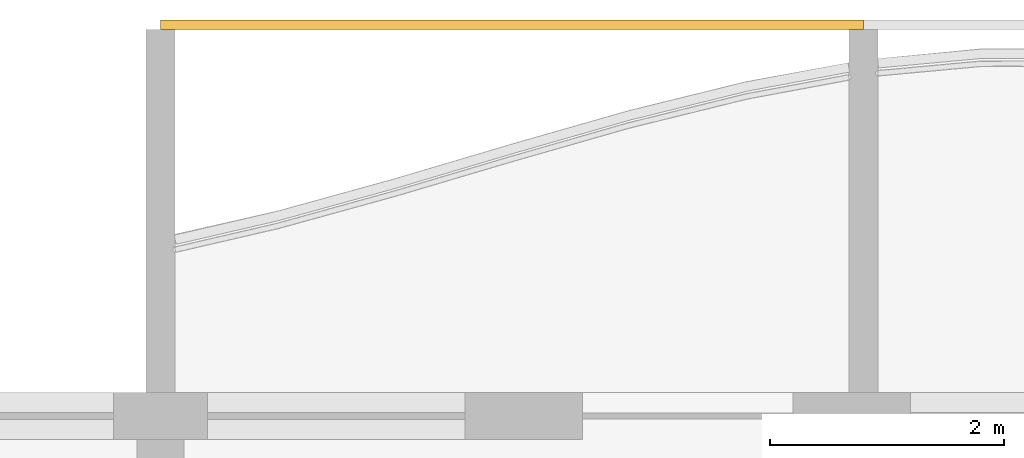
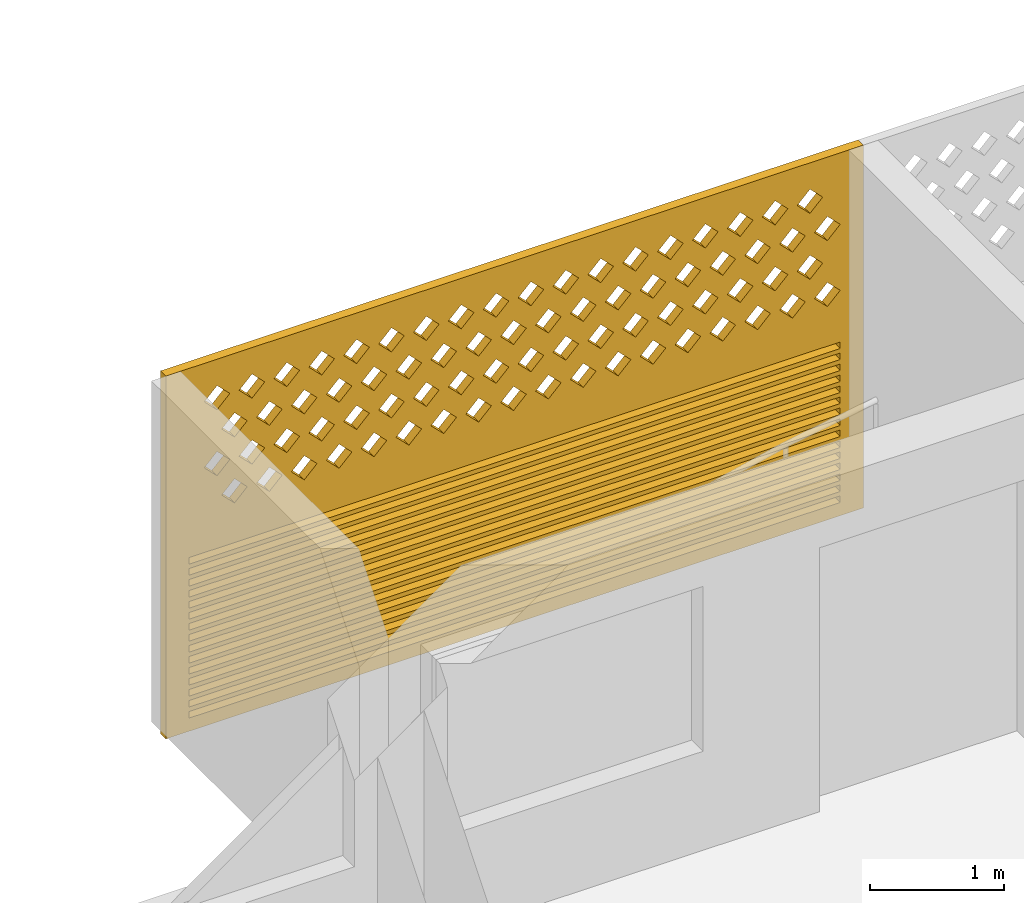
# One storey, part 36 of 38: 1 covering.
"""IFC4 building model written with IfcOpenShell, lengths in metres."""

from ifc_helpers import new_model, si_unit, direction, frame, origin, place, context, subcontext, project, spatial, polyline, outline, extrude, source, transform, mapped, material, material_profile, profile_set, type_object, element, save


model = new_model("IFC4")

# Units and contexts
model_context = context("Model", 3, precision=1e-05, world=origin(), true_north=direction((0.0, 1.0)))
body_context = subcontext(model_context, "Body", "Model", "MODEL_VIEW")
ifc_project = project(units=[si_unit("LENGTHUNIT", "METRE"), si_unit("AREAUNIT", "SQUARE_METRE"), si_unit("VOLUMEUNIT", "CUBIC_METRE"), si_unit("PLANEANGLEUNIT", "RADIAN"), si_unit("MASSUNIT", "GRAM", prefix="KILO")], contexts=[model_context])

# Site, building, storey
site_placement = place(None, origin())
site = spatial("IfcSite", under=ifc_project, at=site_placement, CompositionType="ELEMENT")
building_placement = place(site_placement, origin())
building = spatial("IfcBuilding", under=site, at=building_placement, Name="Poui Terraces", CompositionType="ELEMENT")
storey_placement = place(building_placement, frame((0.0, 0.0, 49.800048828125)))
storey = spatial("IfcBuildingStorey", under=building, at=storey_placement, Name="L13", CompositionType="ELEMENT", Elevation=49.800048828125)

# Covering
ifc_material = material(Name="Terracotta screen", Category="masonry")
ifc_material_profile = material_profile(ifc_material, outline(polyline([(-3.0, -1.64990234375), (3.0, -1.64990234375), (3.0, 1.64990234375), (-3.0, 1.64990234375), (-3.0, -1.64990234375)]), holes=[polyline([(-2.800048828125, 0.39990234375), (-2.68994140625, 0.2900390625), (-2.580078125, 0.39990234375), (-2.68994140625, 0.510009765625), (-2.800048828125, 0.39990234375)]), polyline([(-2.5, 0.39990234375), (-2.389892578125, 0.2900390625), (-2.280029296875, 0.39990234375), (-2.389892578125, 0.510009765625), (-2.5, 0.39990234375)]), polyline([(-2.199951171875, 0.39990234375), (-2.090087890625, 0.2900390625), (-1.97998046875, 0.39990234375), (-2.090087890625, 0.510009765625), (-2.199951171875, 0.39990234375)]), polyline([(-1.89990234375, 0.39990234375), (-1.7900390625, 0.2900390625), (-1.679931640625, 0.39990234375), (-1.7900390625, 0.510009765625), (-1.89990234375, 0.39990234375)]), polyline([(-1.60009765625, 0.39990234375), (-1.489990234375, 0.2900390625), (-1.3798828125, 0.39990234375), (-1.489990234375, 0.510009765625), (-1.60009765625, 0.39990234375)]), polyline([(-1.300048828125, 0.39990234375), (-1.18994140625, 0.2900390625), (-1.080078125, 0.39990234375), (-1.18994140625, 0.510009765625), (-1.300048828125, 0.39990234375)]), polyline([(-1.0, 0.39990234375), (-0.889892578125, 0.2900390625), (-0.780029296875, 0.39990234375), (-0.889892578125, 0.510009765625), (-1.0, 0.39990234375)]), polyline([(-0.699951171875, 0.39990234375), (-0.590087890625, 0.2900390625), (-0.47998046875, 0.39990234375), (-0.590087890625, 0.510009765625), (-0.699951171875, 0.39990234375)]), polyline([(-0.39990234375, 0.39990234375), (-0.2900390625, 0.2900390625), (-0.179931640625, 0.39990234375), (-0.2900390625, 0.510009765625), (-0.39990234375, 0.39990234375)]), polyline([(-0.10009765625, 0.39990234375), (0.010009765625, 0.2900390625), (0.1201171875, 0.39990234375), (0.010009765625, 0.510009765625), (-0.10009765625, 0.39990234375)]), polyline([(0.199951171875, 0.39990234375), (0.31005859375, 0.2900390625), (0.419921875, 0.39990234375), (0.31005859375, 0.510009765625), (0.199951171875, 0.39990234375)]), polyline([(0.5, 0.39990234375), (0.610107421875, 0.2900390625), (0.719970703125, 0.39990234375), (0.610107421875, 0.510009765625), (0.5, 0.39990234375)]), polyline([(0.800048828125, 0.39990234375), (0.909912109375, 0.2900390625), (1.02001953125, 0.39990234375), (0.909912109375, 0.510009765625), (0.800048828125, 0.39990234375)]), polyline([(1.10009765625, 0.39990234375), (1.2099609375, 0.2900390625), (1.320068359375, 0.39990234375), (1.2099609375, 0.510009765625), (1.10009765625, 0.39990234375)]), polyline([(1.39990234375, 0.39990234375), (1.510009765625, 0.2900390625), (1.6201171875, 0.39990234375), (1.510009765625, 0.510009765625), (1.39990234375, 0.39990234375)]), polyline([(1.699951171875, 0.39990234375), (1.81005859375, 0.2900390625), (1.919921875, 0.39990234375), (1.81005859375, 0.510009765625), (1.699951171875, 0.39990234375)]), polyline([(2.0, 0.39990234375), (2.110107421875, 0.2900390625), (2.219970703125, 0.39990234375), (2.110107421875, 0.510009765625), (2.0, 0.39990234375)]), polyline([(2.300048828125, 0.39990234375), (2.409912109375, 0.2900390625), (2.52001953125, 0.39990234375), (2.409912109375, 0.510009765625), (2.300048828125, 0.39990234375)]), polyline([(-2.64990234375, 0.699951171875), (-2.5400390625, 0.590087890625), (-2.429931640625, 0.699951171875), (-2.5400390625, 0.81005859375), (-2.64990234375, 0.699951171875)]), polyline([(-2.35009765625, 0.699951171875), (-2.239990234375, 0.590087890625), (-2.1298828125, 0.699951171875), (-2.239990234375, 0.81005859375), (-2.35009765625, 0.699951171875)]), polyline([(-2.050048828125, 0.699951171875), (-1.93994140625, 0.590087890625), (-1.830078125, 0.699951171875), (-1.93994140625, 0.81005859375), (-2.050048828125, 0.699951171875)]), polyline([(-1.75, 0.699951171875), (-1.639892578125, 0.590087890625), (-1.530029296875, 0.699951171875), (-1.639892578125, 0.81005859375), (-1.75, 0.699951171875)]), polyline([(-1.449951171875, 0.699951171875), (-1.340087890625, 0.590087890625), (-1.22998046875, 0.699951171875), (-1.340087890625, 0.81005859375), (-1.449951171875, 0.699951171875)]), polyline([(-1.14990234375, 0.699951171875), (-1.0400390625, 0.590087890625), (-0.929931640625, 0.699951171875), (-1.0400390625, 0.81005859375), (-1.14990234375, 0.699951171875)]), polyline([(-0.85009765625, 0.699951171875), (-0.739990234375, 0.590087890625), (-0.6298828125, 0.699951171875), (-0.739990234375, 0.81005859375), (-0.85009765625, 0.699951171875)]), polyline([(-0.550048828125, 0.699951171875), (-0.43994140625, 0.590087890625), (-0.330078125, 0.699951171875), (-0.43994140625, 0.81005859375), (-0.550048828125, 0.699951171875)]), polyline([(-0.25, 0.699951171875), (-0.139892578125, 0.590087890625), (-0.030029296875, 0.699951171875), (-0.139892578125, 0.81005859375), (-0.25, 0.699951171875)]), polyline([(0.050048828125, 0.699951171875), (0.159912109375, 0.590087890625), (0.27001953125, 0.699951171875), (0.159912109375, 0.81005859375), (0.050048828125, 0.699951171875)]), polyline([(0.35009765625, 0.699951171875), (0.4599609375, 0.590087890625), (0.570068359375, 0.699951171875), (0.4599609375, 0.81005859375), (0.35009765625, 0.699951171875)]), polyline([(0.64990234375, 0.699951171875), (0.760009765625, 0.590087890625), (0.8701171875, 0.699951171875), (0.760009765625, 0.81005859375), (0.64990234375, 0.699951171875)]), polyline([(0.949951171875, 0.699951171875), (1.06005859375, 0.590087890625), (1.169921875, 0.699951171875), (1.06005859375, 0.81005859375), (0.949951171875, 0.699951171875)]), polyline([(1.25, 0.699951171875), (1.360107421875, 0.590087890625), (1.469970703125, 0.699951171875), (1.360107421875, 0.81005859375), (1.25, 0.699951171875)]), polyline([(1.550048828125, 0.699951171875), (1.659912109375, 0.590087890625), (1.77001953125, 0.699951171875), (1.659912109375, 0.81005859375), (1.550048828125, 0.699951171875)]), polyline([(1.85009765625, 0.699951171875), (1.9599609375, 0.590087890625), (2.070068359375, 0.699951171875), (1.9599609375, 0.81005859375), (1.85009765625, 0.699951171875)]), polyline([(2.14990234375, 0.699951171875), (2.260009765625, 0.590087890625), (2.3701171875, 0.699951171875), (2.260009765625, 0.81005859375), (2.14990234375, 0.699951171875)]), polyline([(2.449951171875, 0.699951171875), (2.56005859375, 0.590087890625), (2.669921875, 0.699951171875), (2.56005859375, 0.81005859375), (2.449951171875, 0.699951171875)]), polyline([(-2.800048828125, 1.0), (-2.68994140625, 0.889892578125), (-2.580078125, 1.0), (-2.68994140625, 1.110107421875), (-2.800048828125, 1.0)]), polyline([(-2.5, 1.0), (-2.389892578125, 0.889892578125), (-2.280029296875, 1.0), (-2.389892578125, 1.110107421875), (-2.5, 1.0)]), polyline([(-2.199951171875, 1.0), (-2.090087890625, 0.889892578125), (-1.97998046875, 1.0), (-2.090087890625, 1.110107421875), (-2.199951171875, 1.0)]), polyline([(-1.89990234375, 1.0), (-1.7900390625, 0.889892578125), (-1.679931640625, 1.0), (-1.7900390625, 1.110107421875), (-1.89990234375, 1.0)]), polyline([(-1.60009765625, 1.0), (-1.489990234375, 0.889892578125), (-1.3798828125, 1.0), (-1.489990234375, 1.110107421875), (-1.60009765625, 1.0)]), polyline([(-1.300048828125, 1.0), (-1.18994140625, 0.889892578125), (-1.080078125, 1.0), (-1.18994140625, 1.110107421875), (-1.300048828125, 1.0)]), polyline([(-1.0, 1.0), (-0.889892578125, 0.889892578125), (-0.780029296875, 1.0), (-0.889892578125, 1.110107421875), (-1.0, 1.0)]), polyline([(-0.699951171875, 1.0), (-0.590087890625, 0.889892578125), (-0.47998046875, 1.0), (-0.590087890625, 1.110107421875), (-0.699951171875, 1.0)]), polyline([(-0.39990234375, 1.0), (-0.2900390625, 0.889892578125), (-0.179931640625, 1.0), (-0.2900390625, 1.110107421875), (-0.39990234375, 1.0)]), polyline([(-0.10009765625, 1.0), (0.010009765625, 0.889892578125), (0.1201171875, 1.0), (0.010009765625, 1.110107421875), (-0.10009765625, 1.0)]), polyline([(0.199951171875, 1.0), (0.31005859375, 0.889892578125), (0.419921875, 1.0), (0.31005859375, 1.110107421875), (0.199951171875, 1.0)]), polyline([(0.5, 1.0), (0.610107421875, 0.889892578125), (0.719970703125, 1.0), (0.610107421875, 1.110107421875), (0.5, 1.0)]), polyline([(0.800048828125, 1.0), (0.909912109375, 0.889892578125), (1.02001953125, 1.0), (0.909912109375, 1.110107421875), (0.800048828125, 1.0)]), polyline([(1.10009765625, 1.0), (1.2099609375, 0.889892578125), (1.320068359375, 1.0), (1.2099609375, 1.110107421875), (1.10009765625, 1.0)]), polyline([(1.39990234375, 1.0), (1.510009765625, 0.889892578125), (1.6201171875, 1.0), (1.510009765625, 1.110107421875), (1.39990234375, 1.0)]), polyline([(1.699951171875, 1.0), (1.81005859375, 0.889892578125), (1.919921875, 1.0), (1.81005859375, 1.110107421875), (1.699951171875, 1.0)]), polyline([(2.0, 1.0), (2.110107421875, 0.889892578125), (2.219970703125, 1.0), (2.110107421875, 1.110107421875), (2.0, 1.0)]), polyline([(2.300048828125, 1.0), (2.409912109375, 0.889892578125), (2.52001953125, 1.0), (2.409912109375, 1.110107421875), (2.300048828125, 1.0)]), polyline([(-2.64990234375, 1.300048828125), (-2.5400390625, 1.18994140625), (-2.429931640625, 1.300048828125), (-2.5400390625, 1.409912109375), (-2.64990234375, 1.300048828125)]), polyline([(-2.35009765625, 1.300048828125), (-2.239990234375, 1.18994140625), (-2.1298828125, 1.300048828125), (-2.239990234375, 1.409912109375), (-2.35009765625, 1.300048828125)]), polyline([(-2.050048828125, 1.300048828125), (-1.93994140625, 1.18994140625), (-1.830078125, 1.300048828125), (-1.93994140625, 1.409912109375), (-2.050048828125, 1.300048828125)]), polyline([(-1.75, 1.300048828125), (-1.639892578125, 1.18994140625), (-1.530029296875, 1.300048828125), (-1.639892578125, 1.409912109375), (-1.75, 1.300048828125)]), polyline([(-1.449951171875, 1.300048828125), (-1.340087890625, 1.18994140625), (-1.22998046875, 1.300048828125), (-1.340087890625, 1.409912109375), (-1.449951171875, 1.300048828125)]), polyline([(-1.14990234375, 1.300048828125), (-1.0400390625, 1.18994140625), (-0.929931640625, 1.300048828125), (-1.0400390625, 1.409912109375), (-1.14990234375, 1.300048828125)]), polyline([(-0.85009765625, 1.300048828125), (-0.739990234375, 1.18994140625), (-0.6298828125, 1.300048828125), (-0.739990234375, 1.409912109375), (-0.85009765625, 1.300048828125)]), polyline([(-0.550048828125, 1.300048828125), (-0.43994140625, 1.18994140625), (-0.330078125, 1.300048828125), (-0.43994140625, 1.409912109375), (-0.550048828125, 1.300048828125)]), polyline([(-0.25, 1.300048828125), (-0.139892578125, 1.18994140625), (-0.030029296875, 1.300048828125), (-0.139892578125, 1.409912109375), (-0.25, 1.300048828125)]), polyline([(0.050048828125, 1.300048828125), (0.159912109375, 1.18994140625), (0.27001953125, 1.300048828125), (0.159912109375, 1.409912109375), (0.050048828125, 1.300048828125)]), polyline([(0.35009765625, 1.300048828125), (0.4599609375, 1.18994140625), (0.570068359375, 1.300048828125), (0.4599609375, 1.409912109375), (0.35009765625, 1.300048828125)]), polyline([(0.64990234375, 1.300048828125), (0.760009765625, 1.18994140625), (0.8701171875, 1.300048828125), (0.760009765625, 1.409912109375), (0.64990234375, 1.300048828125)]), polyline([(0.949951171875, 1.300048828125), (1.06005859375, 1.18994140625), (1.169921875, 1.300048828125), (1.06005859375, 1.409912109375), (0.949951171875, 1.300048828125)]), polyline([(1.25, 1.300048828125), (1.360107421875, 1.18994140625), (1.469970703125, 1.300048828125), (1.360107421875, 1.409912109375), (1.25, 1.300048828125)]), polyline([(1.550048828125, 1.300048828125), (1.659912109375, 1.18994140625), (1.77001953125, 1.300048828125), (1.659912109375, 1.409912109375), (1.550048828125, 1.300048828125)]), polyline([(1.85009765625, 1.300048828125), (1.9599609375, 1.18994140625), (2.070068359375, 1.300048828125), (1.9599609375, 1.409912109375), (1.85009765625, 1.300048828125)]), polyline([(2.14990234375, 1.300048828125), (2.260009765625, 1.18994140625), (2.3701171875, 1.300048828125), (2.260009765625, 1.409912109375), (2.14990234375, 1.300048828125)]), polyline([(2.449951171875, 1.300048828125), (2.56005859375, 1.18994140625), (2.669921875, 1.300048828125), (2.56005859375, 1.409912109375), (2.449951171875, 1.300048828125)]), polyline([(-2.800048828125, -1.530029296875), (2.800048828125, -1.530029296875), (2.800048828125, -1.469970703125), (-2.800048828125, -1.469970703125), (-2.800048828125, -1.530029296875)]), polyline([(-2.800048828125, -1.429931640625), (2.800048828125, -1.429931640625), (2.800048828125, -1.3701171875), (-2.800048828125, -1.3701171875), (-2.800048828125, -1.429931640625)]), polyline([(-2.800048828125, -1.330078125), (2.800048828125, -1.330078125), (2.800048828125, -1.27001953125), (-2.800048828125, -1.27001953125), (-2.800048828125, -1.330078125)]), polyline([(-2.800048828125, -1.22998046875), (2.800048828125, -1.22998046875), (2.800048828125, -1.169921875), (-2.800048828125, -1.169921875), (-2.800048828125, -1.22998046875)]), polyline([(-2.800048828125, -1.1298828125), (2.800048828125, -1.1298828125), (2.800048828125, -1.070068359375), (-2.800048828125, -1.070068359375), (-2.800048828125, -1.1298828125)]), polyline([(-2.800048828125, -1.030029296875), (2.800048828125, -1.030029296875), (2.800048828125, -0.969970703125), (-2.800048828125, -0.969970703125), (-2.800048828125, -1.030029296875)]), polyline([(-2.800048828125, -0.929931640625), (2.800048828125, -0.929931640625), (2.800048828125, -0.8701171875), (-2.800048828125, -0.8701171875), (-2.800048828125, -0.929931640625)]), polyline([(-2.800048828125, -0.830078125), (2.800048828125, -0.830078125), (2.800048828125, -0.77001953125), (-2.800048828125, -0.77001953125), (-2.800048828125, -0.830078125)]), polyline([(-2.800048828125, -0.72998046875), (2.800048828125, -0.72998046875), (2.800048828125, -0.669921875), (-2.800048828125, -0.669921875), (-2.800048828125, -0.72998046875)]), polyline([(-2.800048828125, -0.6298828125), (2.800048828125, -0.6298828125), (2.800048828125, -0.570068359375), (-2.800048828125, -0.570068359375), (-2.800048828125, -0.6298828125)]), polyline([(-2.800048828125, -0.530029296875), (2.800048828125, -0.530029296875), (2.800048828125, -0.469970703125), (-2.800048828125, -0.469970703125), (-2.800048828125, -0.530029296875)]), polyline([(-2.800048828125, -0.429931640625), (2.800048828125, -0.429931640625), (2.800048828125, -0.3701171875), (-2.800048828125, -0.3701171875), (-2.800048828125, -0.429931640625)]), polyline([(-2.800048828125, -0.330078125), (2.800048828125, -0.330078125), (2.800048828125, -0.27001953125), (-2.800048828125, -0.27001953125), (-2.800048828125, -0.330078125)]), polyline([(-2.800048828125, -0.22998046875), (2.800048828125, -0.22998046875), (2.800048828125, -0.169921875), (-2.800048828125, -0.169921875), (-2.800048828125, -0.22998046875)]), polyline([(-2.800048828125, -0.1298828125), (2.800048828125, -0.1298828125), (2.800048828125, -0.070068359375), (-2.800048828125, -0.070068359375), (-2.800048828125, -0.1298828125)])]), Name="TERRACOTTA SCREEN AND JALOUSIE LOUVRE 6000X3300")
ifc_profile_set = profile_set([ifc_material_profile], Name="Terracotta screen")
covering_type = type_object("IfcCoveringType", Name="TERRACOTTA SCREEN AND JALOUSIE LOUVRE 6000X3300", PredefinedType="CLADDING", material=ifc_profile_set)
shared_shape = source(origin(), body_context, "Body", "SweptSolid", [
    extrude(outline(polyline([(-3.0, -1.64990234375), (3.0, -1.64990234375), (3.0, 1.64990234375), (-3.0, 1.64990234375), (-3.0, -1.64990234375)]), holes=[polyline([(-2.800048828125, 0.39990234375), (-2.68994140625, 0.2900390625), (-2.580078125, 0.39990234375), (-2.68994140625, 0.510009765625), (-2.800048828125, 0.39990234375)]), polyline([(-2.5, 0.39990234375), (-2.389892578125, 0.2900390625), (-2.280029296875, 0.39990234375), (-2.389892578125, 0.510009765625), (-2.5, 0.39990234375)]), polyline([(-2.199951171875, 0.39990234375), (-2.090087890625, 0.2900390625), (-1.97998046875, 0.39990234375), (-2.090087890625, 0.510009765625), (-2.199951171875, 0.39990234375)]), polyline([(-1.89990234375, 0.39990234375), (-1.7900390625, 0.2900390625), (-1.679931640625, 0.39990234375), (-1.7900390625, 0.510009765625), (-1.89990234375, 0.39990234375)]), polyline([(-1.60009765625, 0.39990234375), (-1.489990234375, 0.2900390625), (-1.3798828125, 0.39990234375), (-1.489990234375, 0.510009765625), (-1.60009765625, 0.39990234375)]), polyline([(-1.300048828125, 0.39990234375), (-1.18994140625, 0.2900390625), (-1.080078125, 0.39990234375), (-1.18994140625, 0.510009765625), (-1.300048828125, 0.39990234375)]), polyline([(-1.0, 0.39990234375), (-0.889892578125, 0.2900390625), (-0.780029296875, 0.39990234375), (-0.889892578125, 0.510009765625), (-1.0, 0.39990234375)]), polyline([(-0.699951171875, 0.39990234375), (-0.590087890625, 0.2900390625), (-0.47998046875, 0.39990234375), (-0.590087890625, 0.510009765625), (-0.699951171875, 0.39990234375)]), polyline([(-0.39990234375, 0.39990234375), (-0.2900390625, 0.2900390625), (-0.179931640625, 0.39990234375), (-0.2900390625, 0.510009765625), (-0.39990234375, 0.39990234375)]), polyline([(-0.10009765625, 0.39990234375), (0.010009765625, 0.2900390625), (0.1201171875, 0.39990234375), (0.010009765625, 0.510009765625), (-0.10009765625, 0.39990234375)]), polyline([(0.199951171875, 0.39990234375), (0.31005859375, 0.2900390625), (0.419921875, 0.39990234375), (0.31005859375, 0.510009765625), (0.199951171875, 0.39990234375)]), polyline([(0.5, 0.39990234375), (0.610107421875, 0.2900390625), (0.719970703125, 0.39990234375), (0.610107421875, 0.510009765625), (0.5, 0.39990234375)]), polyline([(0.800048828125, 0.39990234375), (0.909912109375, 0.2900390625), (1.02001953125, 0.39990234375), (0.909912109375, 0.510009765625), (0.800048828125, 0.39990234375)]), polyline([(1.10009765625, 0.39990234375), (1.2099609375, 0.2900390625), (1.320068359375, 0.39990234375), (1.2099609375, 0.510009765625), (1.10009765625, 0.39990234375)]), polyline([(1.39990234375, 0.39990234375), (1.510009765625, 0.2900390625), (1.6201171875, 0.39990234375), (1.510009765625, 0.510009765625), (1.39990234375, 0.39990234375)]), polyline([(1.699951171875, 0.39990234375), (1.81005859375, 0.2900390625), (1.919921875, 0.39990234375), (1.81005859375, 0.510009765625), (1.699951171875, 0.39990234375)]), polyline([(2.0, 0.39990234375), (2.110107421875, 0.2900390625), (2.219970703125, 0.39990234375), (2.110107421875, 0.510009765625), (2.0, 0.39990234375)]), polyline([(2.300048828125, 0.39990234375), (2.409912109375, 0.2900390625), (2.52001953125, 0.39990234375), (2.409912109375, 0.510009765625), (2.300048828125, 0.39990234375)]), polyline([(-2.64990234375, 0.699951171875), (-2.5400390625, 0.590087890625), (-2.429931640625, 0.699951171875), (-2.5400390625, 0.81005859375), (-2.64990234375, 0.699951171875)]), polyline([(-2.35009765625, 0.699951171875), (-2.239990234375, 0.590087890625), (-2.1298828125, 0.699951171875), (-2.239990234375, 0.81005859375), (-2.35009765625, 0.699951171875)]), polyline([(-2.050048828125, 0.699951171875), (-1.93994140625, 0.590087890625), (-1.830078125, 0.699951171875), (-1.93994140625, 0.81005859375), (-2.050048828125, 0.699951171875)]), polyline([(-1.75, 0.699951171875), (-1.639892578125, 0.590087890625), (-1.530029296875, 0.699951171875), (-1.639892578125, 0.81005859375), (-1.75, 0.699951171875)]), polyline([(-1.449951171875, 0.699951171875), (-1.340087890625, 0.590087890625), (-1.22998046875, 0.699951171875), (-1.340087890625, 0.81005859375), (-1.449951171875, 0.699951171875)]), polyline([(-1.14990234375, 0.699951171875), (-1.0400390625, 0.590087890625), (-0.929931640625, 0.699951171875), (-1.0400390625, 0.81005859375), (-1.14990234375, 0.699951171875)]), polyline([(-0.85009765625, 0.699951171875), (-0.739990234375, 0.590087890625), (-0.6298828125, 0.699951171875), (-0.739990234375, 0.81005859375), (-0.85009765625, 0.699951171875)]), polyline([(-0.550048828125, 0.699951171875), (-0.43994140625, 0.590087890625), (-0.330078125, 0.699951171875), (-0.43994140625, 0.81005859375), (-0.550048828125, 0.699951171875)]), polyline([(-0.25, 0.699951171875), (-0.139892578125, 0.590087890625), (-0.030029296875, 0.699951171875), (-0.139892578125, 0.81005859375), (-0.25, 0.699951171875)]), polyline([(0.050048828125, 0.699951171875), (0.159912109375, 0.590087890625), (0.27001953125, 0.699951171875), (0.159912109375, 0.81005859375), (0.050048828125, 0.699951171875)]), polyline([(0.35009765625, 0.699951171875), (0.4599609375, 0.590087890625), (0.570068359375, 0.699951171875), (0.4599609375, 0.81005859375), (0.35009765625, 0.699951171875)]), polyline([(0.64990234375, 0.699951171875), (0.760009765625, 0.590087890625), (0.8701171875, 0.699951171875), (0.760009765625, 0.81005859375), (0.64990234375, 0.699951171875)]), polyline([(0.949951171875, 0.699951171875), (1.06005859375, 0.590087890625), (1.169921875, 0.699951171875), (1.06005859375, 0.81005859375), (0.949951171875, 0.699951171875)]), polyline([(1.25, 0.699951171875), (1.360107421875, 0.590087890625), (1.469970703125, 0.699951171875), (1.360107421875, 0.81005859375), (1.25, 0.699951171875)]), polyline([(1.550048828125, 0.699951171875), (1.659912109375, 0.590087890625), (1.77001953125, 0.699951171875), (1.659912109375, 0.81005859375), (1.550048828125, 0.699951171875)]), polyline([(1.85009765625, 0.699951171875), (1.9599609375, 0.590087890625), (2.070068359375, 0.699951171875), (1.9599609375, 0.81005859375), (1.85009765625, 0.699951171875)]), polyline([(2.14990234375, 0.699951171875), (2.260009765625, 0.590087890625), (2.3701171875, 0.699951171875), (2.260009765625, 0.81005859375), (2.14990234375, 0.699951171875)]), polyline([(2.449951171875, 0.699951171875), (2.56005859375, 0.590087890625), (2.669921875, 0.699951171875), (2.56005859375, 0.81005859375), (2.449951171875, 0.699951171875)]), polyline([(-2.800048828125, 1.0), (-2.68994140625, 0.889892578125), (-2.580078125, 1.0), (-2.68994140625, 1.110107421875), (-2.800048828125, 1.0)]), polyline([(-2.5, 1.0), (-2.389892578125, 0.889892578125), (-2.280029296875, 1.0), (-2.389892578125, 1.110107421875), (-2.5, 1.0)]), polyline([(-2.199951171875, 1.0), (-2.090087890625, 0.889892578125), (-1.97998046875, 1.0), (-2.090087890625, 1.110107421875), (-2.199951171875, 1.0)]), polyline([(-1.89990234375, 1.0), (-1.7900390625, 0.889892578125), (-1.679931640625, 1.0), (-1.7900390625, 1.110107421875), (-1.89990234375, 1.0)]), polyline([(-1.60009765625, 1.0), (-1.489990234375, 0.889892578125), (-1.3798828125, 1.0), (-1.489990234375, 1.110107421875), (-1.60009765625, 1.0)]), polyline([(-1.300048828125, 1.0), (-1.18994140625, 0.889892578125), (-1.080078125, 1.0), (-1.18994140625, 1.110107421875), (-1.300048828125, 1.0)]), polyline([(-1.0, 1.0), (-0.889892578125, 0.889892578125), (-0.780029296875, 1.0), (-0.889892578125, 1.110107421875), (-1.0, 1.0)]), polyline([(-0.699951171875, 1.0), (-0.590087890625, 0.889892578125), (-0.47998046875, 1.0), (-0.590087890625, 1.110107421875), (-0.699951171875, 1.0)]), polyline([(-0.39990234375, 1.0), (-0.2900390625, 0.889892578125), (-0.179931640625, 1.0), (-0.2900390625, 1.110107421875), (-0.39990234375, 1.0)]), polyline([(-0.10009765625, 1.0), (0.010009765625, 0.889892578125), (0.1201171875, 1.0), (0.010009765625, 1.110107421875), (-0.10009765625, 1.0)]), polyline([(0.199951171875, 1.0), (0.31005859375, 0.889892578125), (0.419921875, 1.0), (0.31005859375, 1.110107421875), (0.199951171875, 1.0)]), polyline([(0.5, 1.0), (0.610107421875, 0.889892578125), (0.719970703125, 1.0), (0.610107421875, 1.110107421875), (0.5, 1.0)]), polyline([(0.800048828125, 1.0), (0.909912109375, 0.889892578125), (1.02001953125, 1.0), (0.909912109375, 1.110107421875), (0.800048828125, 1.0)]), polyline([(1.10009765625, 1.0), (1.2099609375, 0.889892578125), (1.320068359375, 1.0), (1.2099609375, 1.110107421875), (1.10009765625, 1.0)]), polyline([(1.39990234375, 1.0), (1.510009765625, 0.889892578125), (1.6201171875, 1.0), (1.510009765625, 1.110107421875), (1.39990234375, 1.0)]), polyline([(1.699951171875, 1.0), (1.81005859375, 0.889892578125), (1.919921875, 1.0), (1.81005859375, 1.110107421875), (1.699951171875, 1.0)]), polyline([(2.0, 1.0), (2.110107421875, 0.889892578125), (2.219970703125, 1.0), (2.110107421875, 1.110107421875), (2.0, 1.0)]), polyline([(2.300048828125, 1.0), (2.409912109375, 0.889892578125), (2.52001953125, 1.0), (2.409912109375, 1.110107421875), (2.300048828125, 1.0)]), polyline([(-2.64990234375, 1.300048828125), (-2.5400390625, 1.18994140625), (-2.429931640625, 1.300048828125), (-2.5400390625, 1.409912109375), (-2.64990234375, 1.300048828125)]), polyline([(-2.35009765625, 1.300048828125), (-2.239990234375, 1.18994140625), (-2.1298828125, 1.300048828125), (-2.239990234375, 1.409912109375), (-2.35009765625, 1.300048828125)]), polyline([(-2.050048828125, 1.300048828125), (-1.93994140625, 1.18994140625), (-1.830078125, 1.300048828125), (-1.93994140625, 1.409912109375), (-2.050048828125, 1.300048828125)]), polyline([(-1.75, 1.300048828125), (-1.639892578125, 1.18994140625), (-1.530029296875, 1.300048828125), (-1.639892578125, 1.409912109375), (-1.75, 1.300048828125)]), polyline([(-1.449951171875, 1.300048828125), (-1.340087890625, 1.18994140625), (-1.22998046875, 1.300048828125), (-1.340087890625, 1.409912109375), (-1.449951171875, 1.300048828125)]), polyline([(-1.14990234375, 1.300048828125), (-1.0400390625, 1.18994140625), (-0.929931640625, 1.300048828125), (-1.0400390625, 1.409912109375), (-1.14990234375, 1.300048828125)]), polyline([(-0.85009765625, 1.300048828125), (-0.739990234375, 1.18994140625), (-0.6298828125, 1.300048828125), (-0.739990234375, 1.409912109375), (-0.85009765625, 1.300048828125)]), polyline([(-0.550048828125, 1.300048828125), (-0.43994140625, 1.18994140625), (-0.330078125, 1.300048828125), (-0.43994140625, 1.409912109375), (-0.550048828125, 1.300048828125)]), polyline([(-0.25, 1.300048828125), (-0.139892578125, 1.18994140625), (-0.030029296875, 1.300048828125), (-0.139892578125, 1.409912109375), (-0.25, 1.300048828125)]), polyline([(0.050048828125, 1.300048828125), (0.159912109375, 1.18994140625), (0.27001953125, 1.300048828125), (0.159912109375, 1.409912109375), (0.050048828125, 1.300048828125)]), polyline([(0.35009765625, 1.300048828125), (0.4599609375, 1.18994140625), (0.570068359375, 1.300048828125), (0.4599609375, 1.409912109375), (0.35009765625, 1.300048828125)]), polyline([(0.64990234375, 1.300048828125), (0.760009765625, 1.18994140625), (0.8701171875, 1.300048828125), (0.760009765625, 1.409912109375), (0.64990234375, 1.300048828125)]), polyline([(0.949951171875, 1.300048828125), (1.06005859375, 1.18994140625), (1.169921875, 1.300048828125), (1.06005859375, 1.409912109375), (0.949951171875, 1.300048828125)]), polyline([(1.25, 1.300048828125), (1.360107421875, 1.18994140625), (1.469970703125, 1.300048828125), (1.360107421875, 1.409912109375), (1.25, 1.300048828125)]), polyline([(1.550048828125, 1.300048828125), (1.659912109375, 1.18994140625), (1.77001953125, 1.300048828125), (1.659912109375, 1.409912109375), (1.550048828125, 1.300048828125)]), polyline([(1.85009765625, 1.300048828125), (1.9599609375, 1.18994140625), (2.070068359375, 1.300048828125), (1.9599609375, 1.409912109375), (1.85009765625, 1.300048828125)]), polyline([(2.14990234375, 1.300048828125), (2.260009765625, 1.18994140625), (2.3701171875, 1.300048828125), (2.260009765625, 1.409912109375), (2.14990234375, 1.300048828125)]), polyline([(2.449951171875, 1.300048828125), (2.56005859375, 1.18994140625), (2.669921875, 1.300048828125), (2.56005859375, 1.409912109375), (2.449951171875, 1.300048828125)]), polyline([(-2.800048828125, -1.530029296875), (2.800048828125, -1.530029296875), (2.800048828125, -1.469970703125), (-2.800048828125, -1.469970703125), (-2.800048828125, -1.530029296875)]), polyline([(-2.800048828125, -1.429931640625), (2.800048828125, -1.429931640625), (2.800048828125, -1.3701171875), (-2.800048828125, -1.3701171875), (-2.800048828125, -1.429931640625)]), polyline([(-2.800048828125, -1.330078125), (2.800048828125, -1.330078125), (2.800048828125, -1.27001953125), (-2.800048828125, -1.27001953125), (-2.800048828125, -1.330078125)]), polyline([(-2.800048828125, -1.22998046875), (2.800048828125, -1.22998046875), (2.800048828125, -1.169921875), (-2.800048828125, -1.169921875), (-2.800048828125, -1.22998046875)]), polyline([(-2.800048828125, -1.1298828125), (2.800048828125, -1.1298828125), (2.800048828125, -1.070068359375), (-2.800048828125, -1.070068359375), (-2.800048828125, -1.1298828125)]), polyline([(-2.800048828125, -1.030029296875), (2.800048828125, -1.030029296875), (2.800048828125, -0.969970703125), (-2.800048828125, -0.969970703125), (-2.800048828125, -1.030029296875)]), polyline([(-2.800048828125, -0.929931640625), (2.800048828125, -0.929931640625), (2.800048828125, -0.8701171875), (-2.800048828125, -0.8701171875), (-2.800048828125, -0.929931640625)]), polyline([(-2.800048828125, -0.830078125), (2.800048828125, -0.830078125), (2.800048828125, -0.77001953125), (-2.800048828125, -0.77001953125), (-2.800048828125, -0.830078125)]), polyline([(-2.800048828125, -0.72998046875), (2.800048828125, -0.72998046875), (2.800048828125, -0.669921875), (-2.800048828125, -0.669921875), (-2.800048828125, -0.72998046875)]), polyline([(-2.800048828125, -0.6298828125), (2.800048828125, -0.6298828125), (2.800048828125, -0.570068359375), (-2.800048828125, -0.570068359375), (-2.800048828125, -0.6298828125)]), polyline([(-2.800048828125, -0.530029296875), (2.800048828125, -0.530029296875), (2.800048828125, -0.469970703125), (-2.800048828125, -0.469970703125), (-2.800048828125, -0.530029296875)]), polyline([(-2.800048828125, -0.429931640625), (2.800048828125, -0.429931640625), (2.800048828125, -0.3701171875), (-2.800048828125, -0.3701171875), (-2.800048828125, -0.429931640625)]), polyline([(-2.800048828125, -0.330078125), (2.800048828125, -0.330078125), (2.800048828125, -0.27001953125), (-2.800048828125, -0.27001953125), (-2.800048828125, -0.330078125)]), polyline([(-2.800048828125, -0.22998046875), (2.800048828125, -0.22998046875), (2.800048828125, -0.169921875), (-2.800048828125, -0.169921875), (-2.800048828125, -0.22998046875)]), polyline([(-2.800048828125, -0.1298828125), (2.800048828125, -0.1298828125), (2.800048828125, -0.070068359375), (-2.800048828125, -0.070068359375), (-2.800048828125, -0.1298828125)])]), origin(), (0.0, 0.0, 1.0), 0.079833984375),
])
covering_placement = place(storey_placement, frame((87.0, 48.10009765625, 1.449951171875), z_axis=(0.0, 1.0, 0.0), x_axis=(-1.0, 0.0, 0.0)))
element("IfcCovering", 1, at=covering_placement, inside=storey, type_object=covering_type, Name="SOLAR SCREEN AND JALOUSIE LOUVRE", PredefinedType="CLADDING", context=body_context, shape_type="MappedRepresentation", body=[
    mapped(shared_shape, transform((0.0, 0.0, 0.0))),
])

save(model, "model.ifc")
